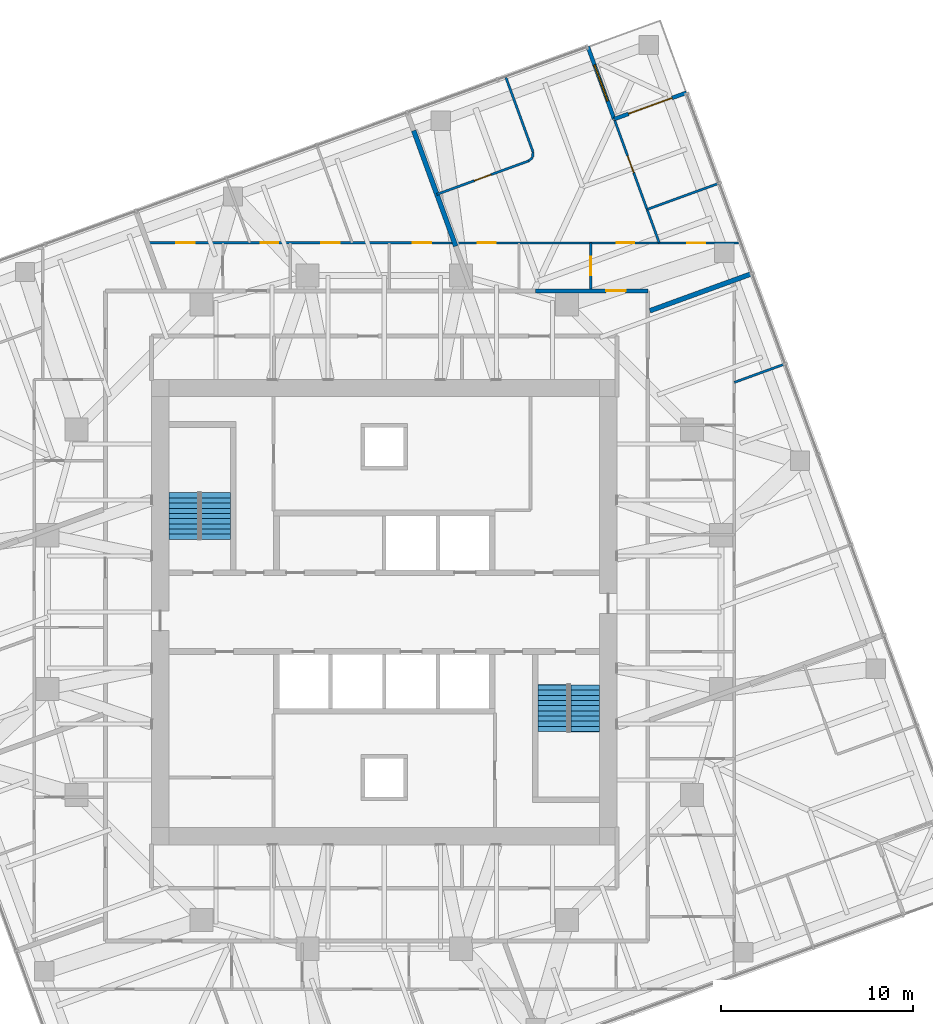
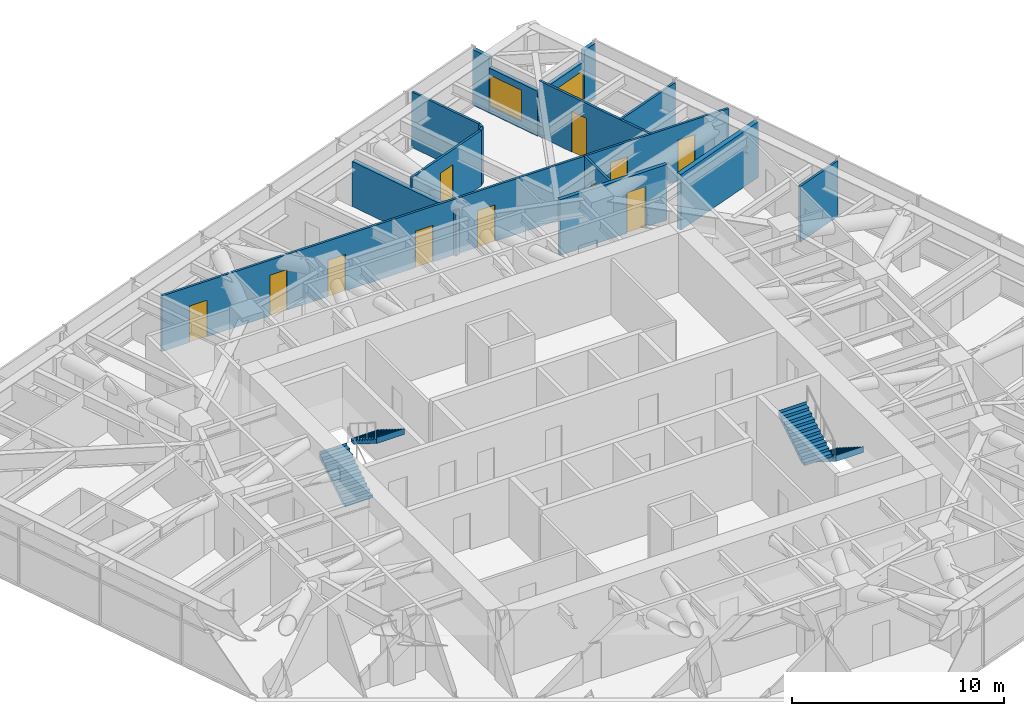
# One storey, part 14 of 16: 16 walls, 12 doors, 4 stair flights, 1 window, 13 openings, 2 elements without a shape of their own.
"""IFC4 building model written with IfcOpenShell, lengths in metres."""

import ifcopenshell
import ifcopenshell.guid

model = None  # the IFC model being written
_history = None  # IfcOwnerHistory: only IFC2X3 demands one
_inside = {}  # id of a spatial element -> (the spatial element, [elements in it])
_under = {}  # id of a project, library or spatial element -> (it, [spatial elements below it])
_declared = {}  # id of a project -> (the project, [libraries it declares])
_typed = {}  # id of a type object -> (the type object, [elements of that type])
_made_of = {}  # id of a material, layer set ... -> (it, [elements and type objects made of it])


def new_model(schema):
    """Start an empty IFC model of exactly this schema.

    Asked for "IFC4X3", IfcOpenShell would pick the latest addendum, in which some entities
    have other attributes; the version numbers below select the first issue.
    IFC2X3 requires an IfcOwnerHistory on every rooted entity: one is made here for all.
    """
    global model, _history
    if schema == "IFC4X3":
        model = ifcopenshell.file(schema_version=(4, 3, 0, 0))
    else:
        model = ifcopenshell.file(schema=schema)
    _inside.clear()
    _under.clear()
    _declared.clear()
    _typed.clear()
    _made_of.clear()
    _history = None
    if model.schema == "IFC2X3":
        org = make("IfcOrganization", Name="unknown")
        user = make(
            "IfcPersonAndOrganization",
            ThePerson=make("IfcPerson", FamilyName="unknown"),
            TheOrganization=org,
        )
        app = make(
            "IfcApplication",
            ApplicationDeveloper=org,
            Version="unknown",
            ApplicationFullName="unknown",
            ApplicationIdentifier="unknown",
        )
        _history = make(
            "IfcOwnerHistory",
            OwningUser=user,
            OwningApplication=app,
            ChangeAction="ADDED",
            CreationDate=0,
        )
    return model


def make(cls, **values):
    """One entity of the class cls with the attributes given. An attribute that is None is left unset."""
    return model.create_entity(
        cls, **{name: value for name, value in values.items() if value is not None}
    )


def rooted(cls, **values):
    """An entity with a GlobalId (a new one), such as an element, a storey or a relation."""
    return make(cls, GlobalId=ifcopenshell.guid.new(), OwnerHistory=_history, **values)


def si_unit(unit_type, name, prefix=None):
    """IfcSIUnit, for example si_unit("LENGTHUNIT", "METRE", prefix="MILLI")."""
    return make("IfcSIUnit", UnitType=unit_type, Prefix=prefix, Name=name)


def assignment(units):
    """IfcUnitAssignment: the units of a project."""
    return None if units is None else make("IfcUnitAssignment", Units=units)


def point(xyz):
    """IfcCartesianPoint."""
    return None if xyz is None else make("IfcCartesianPoint", Coordinates=xyz)


def direction(xyz):
    """IfcDirection."""
    return None if xyz is None else make("IfcDirection", DirectionRatios=xyz)


def frame(location, z_axis=None, x_axis=None):
    """IfcAxis2Placement3D, a coordinate frame: its origin and axes. An axis left out is left unset."""
    return make(
        "IfcAxis2Placement3D",
        Location=point(location),
        Axis=direction(z_axis),
        RefDirection=direction(x_axis),
    )


def frame_2d(location, x_axis=None):
    """IfcAxis2Placement2D, a coordinate frame in the plane: its origin and x axis."""
    return make(
        "IfcAxis2Placement2D", Location=point(location), RefDirection=direction(x_axis)
    )


def origin():
    """The frame at (0, 0, 0) with its axes left unset."""
    return frame((0.0, 0.0, 0.0))


def place(relative_to, where):
    """IfcLocalPlacement: puts the frame where relative to a parent placement (None: the world)."""
    return make(
        "IfcLocalPlacement", PlacementRelTo=relative_to, RelativePlacement=where
    )


def context(
    kind, dimensions, precision=None, world=None, true_north=None, identifier=None
):
    """IfcGeometricRepresentationContext, for example the 3D "Model" context."""
    return make(
        "IfcGeometricRepresentationContext",
        ContextIdentifier=identifier,
        ContextType=kind,
        CoordinateSpaceDimension=dimensions,
        Precision=precision,
        WorldCoordinateSystem=world,
        TrueNorth=true_north,
    )


def subcontext(parent, identifier, kind, view, scale=None):
    """IfcGeometricRepresentationSubContext, for example "Body" below "Model"."""
    return make(
        "IfcGeometricRepresentationSubContext",
        ContextIdentifier=identifier,
        ContextType=kind,
        ParentContext=parent,
        TargetScale=scale,
        TargetView=view,
    )


def project(units=None, contexts=None):
    """IfcProject with its units and contexts."""
    return rooted(
        "IfcProject",
        Name="project",
        RepresentationContexts=contexts,
        UnitsInContext=assignment(units),
    )


def spatial(cls, under=None, at=None, **own):
    """A site, building, storey or space (cls), placed at a placement, below another one or the project."""
    s = rooted(cls, ObjectPlacement=at, **own)
    if under is not None:
        _under.setdefault(under.id(), (under, []))[1].append(s)
    return s


def polyline(points):
    """IfcPolyline through the points."""
    return make("IfcPolyline", Points=[point(p) for p in points])


def profile(cls, at=None, kind="AREA", **sizes):
    """A parametric profile (cls). Its sizes go by their IFC names, for example OverallWidth=200.0."""
    return make(cls, ProfileType=kind, Position=at, **sizes)


def rectangle(**sizes):
    """IfcRectangleProfileDef."""
    return profile("IfcRectangleProfileDef", **sizes)


def outline(outer, holes=None, kind="AREA"):
    """IfcArbitraryClosedProfileDef: a profile drawn as a closed curve; with holes, ...WithVoids."""
    if holes is None:
        return make("IfcArbitraryClosedProfileDef", ProfileType=kind, OuterCurve=outer)
    return make(
        "IfcArbitraryProfileDefWithVoids",
        ProfileType=kind,
        OuterCurve=outer,
        InnerCurves=holes,
    )


def extrude(swept, where, along, depth):
    """IfcExtrudedAreaSolid: the profile swept, set in the frame where, extruded along a direction by depth."""
    return make(
        "IfcExtrudedAreaSolid",
        SweptArea=swept,
        Position=where,
        ExtrudedDirection=direction(along),
        Depth=depth,
    )


def shape(context_of_items, identifier, shape_type, items):
    """IfcShapeRepresentation: the items that make up one representation, for example the "Body"."""
    return make(
        "IfcShapeRepresentation",
        ContextOfItems=context_of_items,
        RepresentationIdentifier=identifier,
        RepresentationType=shape_type,
        Items=items,
    )


def material(Name=None, Category=None):
    """IfcMaterial."""
    return make("IfcMaterial", Name=Name, Category=Category)


def layer(
    of_material, thickness, ventilated=None, Name=None, Category=None, Priority=None
):
    """IfcMaterialLayer: one layer of a wall or slab, of a material (None: an air gap)."""
    return make(
        "IfcMaterialLayer",
        Material=of_material,
        LayerThickness=thickness,
        IsVentilated=ventilated,
        Name=Name,
        Category=Category,
        Priority=Priority,
    )


def layer_set(layers, Name=None):
    """IfcMaterialLayerSet."""
    return make("IfcMaterialLayerSet", MaterialLayers=layers, LayerSetName=Name)


def made_of(thing, what):
    """Note that an element or type object is made of a material, layer set ...; save() writes the relation."""
    if what is not None:
        _made_of.setdefault(what.id(), (what, []))[1].append(thing)
    return thing


def type_object(cls, material=None, **own):
    """A type object (cls), such as IfcWallType, which elements share."""
    return made_of(rooted(cls, **own), material)


def element(
    cls,
    number,
    at=None,
    inside=None,
    cuts=None,
    type_object=None,
    material=None,
    context=None,
    identifier="Body",
    shape_type=None,
    held_by="IfcProductDefinitionShape",
    body=None,
    shapes=None,
    **own,
):
    """One element of the class cls, such as IfcWall. Its Tag is "e" and its number.

    at: its placement. inside: the storey or other place that contains it. cuts: it is an
    opening in that element (IfcRelVoidsElement). A single representation is given by context,
    identifier, shape_type and body (its items); several are given by shapes. held_by: the class
    of the entity that holds the representations. save() writes the other relations.
    """
    e = rooted(cls, Tag="e%d" % number, ObjectPlacement=at, **own)
    if body is not None:
        shapes = [shape(context, identifier, shape_type, body)]
    if shapes is not None:
        e.Representation = make(held_by, Representations=shapes)
    if inside is not None:
        _inside.setdefault(inside.id(), (inside, []))[1].append(e)
    if cuts is not None:
        rooted(
            "IfcRelVoidsElement", RelatingBuildingElement=cuts, RelatedOpeningElement=e
        )
    if type_object is not None:
        _typed.setdefault(type_object.id(), (type_object, []))[1].append(e)
    return made_of(e, material)


def fill(opening, filler):
    """IfcRelFillsElement: the door or window that sits in an opening."""
    return rooted(
        "IfcRelFillsElement",
        RelatingOpeningElement=opening,
        RelatedBuildingElement=filler,
    )


def aggregate(whole, parts):
    """IfcRelAggregates: a whole, such as a stair, and the parts it consists of."""
    return rooted("IfcRelAggregates", RelatingObject=whole, RelatedObjects=parts)


def save(model, path):
    """Write the relations noted so far, then the file.

    IfcRelAggregates (storeys below a building ...), IfcRelContainedInSpatialStructure (elements
    in a storey), IfcRelDefinesByType, IfcRelAssociatesMaterial and IfcRelDeclares: one each for
    every whole, place, type object, material and project.
    """
    for whole, parts in _under.values():
        aggregate(whole, parts)
    for where, things in _inside.values():
        rooted(
            "IfcRelContainedInSpatialStructure",
            RelatedElements=things,
            RelatingStructure=where,
        )
    for kind, things in _typed.values():
        rooted("IfcRelDefinesByType", RelatedObjects=things, RelatingType=kind)
    for what, things in _made_of.values():
        rooted("IfcRelAssociatesMaterial", RelatedObjects=things, RelatingMaterial=what)
    for by, libraries in _declared.values():
        rooted("IfcRelDeclares", RelatingContext=by, RelatedDefinitions=libraries)
    model.write(path)


model = new_model("IFC4")

# Units and contexts
model_context = context("Model", 3, precision=1e-05, world=origin(), true_north=direction((0.0, 1.0)))
body_context = subcontext(model_context, "Body", "Model", "MODEL_VIEW")
ifc_project = project(units=[si_unit("LENGTHUNIT", "METRE"), si_unit("AREAUNIT", "SQUARE_METRE"), si_unit("VOLUMEUNIT", "CUBIC_METRE"), si_unit("PLANEANGLEUNIT", "RADIAN"), si_unit("MASSUNIT", "GRAM", prefix="KILO")], contexts=[model_context])

# Site, building, storey
site_placement = place(None, origin())
site = spatial("IfcSite", under=ifc_project, at=site_placement, CompositionType="ELEMENT")
building_placement = place(site_placement, origin())
building = spatial("IfcBuilding", under=site, at=building_placement, Name="Torsade Residences", CompositionType="ELEMENT")
storey_placement = place(building_placement, frame((0.0, 0.0, 167.60009765625)))
storey = spatial("IfcBuildingStorey", under=building, at=storey_placement, Name="L46", CompositionType="ELEMENT", Elevation=167.60009765625)

# Wall, opening, door
ifc_material_1 = material(Name="Plasterboard on steel stud", Category="steel")
ifc_layer_1 = layer(ifc_material_1, 0.199951171875)
ifc_layer_set_1 = layer_set([ifc_layer_1], Name="Plasterboard on steel stud")
wall_type_1 = type_object("IfcWallType", Name="CORRIDOR WALL 200", PredefinedType="PARTITIONING", material=ifc_layer_set_1)
wall_1_placement = place(storey_placement, frame((53.699951171875, 46.699951171875, 0.0), z_axis=(0.0, 0.0, 1.0), x_axis=(-1.0, 0.0, 0.0)))
wall_1 = element("IfcWall", 1, at=wall_1_placement, inside=storey, type_object=wall_type_1, Name="Corridor wall L46", PredefinedType="PARTITIONING", context=body_context, shape_type="SweptSolid", body=[
    extrude(rectangle(XDim=5.829833984375, YDim=0.199951171875, at=frame_2d((2.9150390625, 0.0))), origin(), (0.0, 0.0, 1.0), 3.199951171875),
])
opening_1_placement = place(wall_1_placement, frame((1.150634765625, 0.0, 0.0)))
opening_1 = element("IfcOpeningElement", 2, at=opening_1_placement, cuts=wall_1, Name="Opening D01", PredefinedType="OPENING", context=body_context, shape_type="SweptSolid", body=[
    extrude(rectangle(XDim=1.02001953125, YDim=2.340087890625, at=frame_2d((0.510009765625, 1.169921875))), frame((0.0, 0.10986328125, 0.0), z_axis=(0.0, -1.0, 0.0), x_axis=(1.0, 0.0, 0.0)), (0.0, 0.0, 1.0), 0.219970703125),
])
ifc_material_2 = material(Name="Solid-core timber fire door", Category="wood")
door_type_1 = type_object("IfcDoorType", Name="APARTMENT ENTRY DOOR 1020x2340", OperationType="NOTDEFINED", PredefinedType="DOOR", material=ifc_material_2)
door_1_placement = place(opening_1_placement, origin())
door_1 = element("IfcDoor", 3, at=door_1_placement, inside=storey, type_object=door_type_1, Name="Door Residential corridor to Kitchen and dining", OperationType="SINGLE_SWING_LEFT", OverallHeight=2.340087890625, OverallWidth=1.02001953125, PredefinedType="DOOR", context=body_context, shape_type="SweptSolid", body=[
    extrude(rectangle(XDim=1.02001953125, YDim=2.340087890625, at=frame_2d((0.510009765625, 1.169921875))), frame((0.0, 0.02490234375, 0.0), z_axis=(0.0, -1.0, 0.0), x_axis=(1.0, 0.0, 0.0)), (0.0, 0.0, 1.0), 0.050048828125),
])
fill(opening_1, door_1)

# Wall
ifc_material_3 = material(Name="Plasterboard on steel stud", Category="steel")
ifc_layer_2 = layer(ifc_material_3, 0.1201171875)
ifc_layer_set_2 = layer_set([ifc_layer_2], Name="Plasterboard on steel stud")
wall_type_2 = type_object("IfcWallType", Name="PARTITION 120", PredefinedType="PARTITIONING", material=ifc_layer_set_2)
wall_2_placement = place(storey_placement, frame((58.199951171875, 41.945068359375, 0.0), z_axis=(0.0, 0.0, 1.0), x_axis=(0.939680234176, 0.34205417334, 0.0)))
element("IfcWall", 4, at=wall_2_placement, inside=storey, type_object=wall_type_2, Name="Partition L46", PredefinedType="PARTITIONING", context=body_context, shape_type="SweptSolid", body=[
    extrude(rectangle(XDim=2.772216796875, YDim=0.1201171875, at=frame_2d((1.38623046875, 0.0))), origin(), (0.0, 0.0, 1.0), 3.199951171875),
])

# Wall, opening, door
wall_3_placement = place(storey_placement, frame((50.728759765625, 46.800048828125, 0.0), z_axis=(0.0, 0.0, 1.0), x_axis=(0.0, 1.0, 0.0)))
wall_3 = element("IfcWall", 5, at=wall_3_placement, inside=storey, type_object=wall_type_2, Name="Partition L46", PredefinedType="PARTITIONING", context=body_context, shape_type="SweptSolid", body=[
    extrude(rectangle(XDim=2.39990234375, YDim=0.1201171875, at=frame_2d((1.199951171875, 0.0))), origin(), (0.0, 0.0, 1.0), 3.199951171875),
])
opening_2_placement = place(wall_3_placement, frame((0.719970703125, 0.0, 0.0)))
opening_2 = element("IfcOpeningElement", 6, at=opening_2_placement, cuts=wall_3, Name="Opening D05", PredefinedType="OPENING", context=body_context, shape_type="SweptSolid", body=[
    extrude(rectangle(XDim=0.9599609375, YDim=2.10009765625, at=frame_2d((0.47998046875, 1.050048828125))), frame((0.0, 0.070068359375, 0.0), z_axis=(0.0, -1.0, 0.0), x_axis=(1.0, 0.0, 0.0)), (0.0, 0.0, 1.0), 0.14013671875),
])
ifc_material_4 = material(Name="Hollow-core timber door in a steel cavity frame", Category="steel")
door_type_2 = type_object("IfcDoorType", Name="BATHROOM CAVITY SLIDING DOOR 960", OperationType="SLIDING_TO_LEFT", PredefinedType="DOOR", material=ifc_material_4)
door_2_placement = place(opening_2_placement, origin())
door_2 = element("IfcDoor", 7, at=door_2_placement, inside=storey, type_object=door_type_2, Name="Door Kitchen and dining to Bathroom", OperationType="SLIDING_TO_LEFT", OverallHeight=2.10009765625, OverallWidth=0.9599609375, PredefinedType="DOOR", context=body_context, shape_type="SweptSolid", body=[
    extrude(rectangle(XDim=0.9599609375, YDim=2.10009765625, at=frame_2d((0.47998046875, 1.050048828125))), frame((0.0, 0.02490234375, 0.0), z_axis=(0.0, -1.0, 0.0), x_axis=(1.0, 0.0, 0.0)), (0.0, 0.0, 1.0), 0.050048828125),
])
fill(opening_2, door_2)

# Wall, openings, doors
wall_4_placement = place(storey_placement, frame((27.69091796875, 49.199951171875, 0.0), z_axis=(0.0, 0.0, 1.0), x_axis=(0.999999952285, -0.000308918217, 0.0)))
wall_4 = element("IfcWall", 8, at=wall_4_placement, inside=storey, type_object=wall_type_2, Name="Partition L46", PredefinedType="PARTITIONING", context=body_context, shape_type="SweptSolid", body=[
    extrude(rectangle(XDim=30.822021484375, YDim=0.1201171875, at=frame_2d((15.4111328125, 0.0))), origin(), (0.0, 0.0, 1.0), 3.199951171875),
])
opening_3_placement = place(wall_4_placement, frame((5.88232421875, 0.0, 0.0)))
opening_3 = element("IfcOpeningElement", 9, at=opening_3_placement, cuts=wall_4, Name="Opening D02", PredefinedType="OPENING", context=body_context, shape_type="SweptSolid", body=[
    extrude(rectangle(XDim=0.919921875, YDim=2.340087890625, at=frame_2d((0.4599609375, 1.169921875))), frame((0.0, 0.070068359375, 0.0), z_axis=(0.0, -1.0, 0.0), x_axis=(1.0, 0.0, 0.0)), (0.0, 0.0, 1.0), 0.14013671875),
])
opening_4_placement = place(wall_4_placement, frame((28.070068359375, 0.0, 0.0)))
opening_4 = element("IfcOpeningElement", 10, at=opening_4_placement, cuts=wall_4, Name="Opening D02", PredefinedType="OPENING", context=body_context, shape_type="SweptSolid", body=[
    extrude(rectangle(XDim=0.919921875, YDim=2.340087890625, at=frame_2d((0.4599609375, 1.169921875))), frame((0.0, 0.070068359375, 0.0), z_axis=(0.0, -1.0, 0.0), x_axis=(1.0, 0.0, 0.0)), (0.0, 0.0, 1.0), 0.14013671875),
])
opening_5_placement = place(wall_4_placement, frame((24.3876953125, 0.0, 0.0)))
opening_5 = element("IfcOpeningElement", 11, at=opening_5_placement, cuts=wall_4, Name="Opening D02", PredefinedType="OPENING", context=body_context, shape_type="SweptSolid", body=[
    extrude(rectangle(XDim=0.919921875, YDim=2.340087890625, at=frame_2d((0.4599609375, 1.169921875))), frame((0.0, 0.070068359375, 0.0), z_axis=(0.0, -1.0, 0.0), x_axis=(1.0, 0.0, 0.0)), (0.0, 0.0, 1.0), 0.14013671875),
])
opening_6_placement = place(wall_4_placement, frame((1.506103515625, 0.0, 0.0)))
opening_6 = element("IfcOpeningElement", 12, at=opening_6_placement, cuts=wall_4, Name="Opening D05", PredefinedType="OPENING", context=body_context, shape_type="SweptSolid", body=[
    extrude(rectangle(XDim=0.9599609375, YDim=2.10009765625, at=frame_2d((0.47998046875, 1.050048828125))), frame((0.0, 0.070068359375, 0.0), z_axis=(0.0, -1.0, 0.0), x_axis=(1.0, 0.0, 0.0)), (0.0, 0.0, 1.0), 0.14013671875),
])
opening_7_placement = place(wall_4_placement, frame((17.158203125, 0.0, 0.0)))
opening_7 = element("IfcOpeningElement", 13, at=opening_7_placement, cuts=wall_4, Name="Opening D05", PredefinedType="OPENING", context=body_context, shape_type="SweptSolid", body=[
    extrude(rectangle(XDim=0.9599609375, YDim=2.10009765625, at=frame_2d((0.47998046875, 1.050048828125))), frame((0.0, 0.070068359375, 0.0), z_axis=(0.0, -1.0, 0.0), x_axis=(1.0, 0.0, 0.0)), (0.0, 0.0, 1.0), 0.14013671875),
])
opening_8_placement = place(wall_4_placement, frame((9.026123046875, 0.0, 0.0)))
opening_8 = element("IfcOpeningElement", 14, at=opening_8_placement, cuts=wall_4, Name="Opening D05", PredefinedType="OPENING", context=body_context, shape_type="SweptSolid", body=[
    extrude(rectangle(XDim=0.9599609375, YDim=2.10009765625, at=frame_2d((0.47998046875, 1.050048828125))), frame((0.0, 0.070068359375, 0.0), z_axis=(0.0, -1.0, 0.0), x_axis=(1.0, 0.0, 0.0)), (0.0, 0.0, 1.0), 0.14013671875),
])
opening_9_placement = place(wall_4_placement, frame((13.78759765625, 0.0, 0.0)))
opening_9 = element("IfcOpeningElement", 15, at=opening_9_placement, cuts=wall_4, Name="Opening D05", PredefinedType="OPENING", context=body_context, shape_type="SweptSolid", body=[
    extrude(rectangle(XDim=0.9599609375, YDim=2.10009765625, at=frame_2d((0.47998046875, 1.050048828125))), frame((0.0, 0.070068359375, 0.0), z_axis=(0.0, -1.0, 0.0), x_axis=(1.0, 0.0, 0.0)), (0.0, 0.0, 1.0), 0.14013671875),
])
door_3_placement = place(opening_6_placement, origin())
door_3 = element("IfcDoor", 16, at=door_3_placement, inside=storey, type_object=door_type_2, Name="Door WC to Bedroom 2", OperationType="SLIDING_TO_LEFT", OverallHeight=2.10009765625, OverallWidth=0.9599609375, PredefinedType="DOOR", context=body_context, shape_type="SweptSolid", body=[
    extrude(rectangle(XDim=0.9599609375, YDim=2.10009765625, at=frame_2d((0.47998046875, 1.050048828125))), frame((0.0, 0.02490234375, 0.0), z_axis=(0.0, -1.0, 0.0), x_axis=(1.0, 0.0, 0.0)), (0.0, 0.0, 1.0), 0.050048828125),
])
fill(opening_6, door_3)
door_4_placement = place(opening_7_placement, origin())
door_4 = element("IfcDoor", 17, at=door_4_placement, inside=storey, type_object=door_type_2, Name="Door Living room to Ensuite", OperationType="SLIDING_TO_LEFT", OverallHeight=2.10009765625, OverallWidth=0.9599609375, PredefinedType="DOOR", context=body_context, shape_type="SweptSolid", body=[
    extrude(rectangle(XDim=0.9599609375, YDim=2.10009765625, at=frame_2d((0.47998046875, 1.050048828125))), frame((0.0, 0.02490234375, 0.0), z_axis=(0.0, -1.0, 0.0), x_axis=(1.0, 0.0, 0.0)), (0.0, 0.0, 1.0), 0.050048828125),
])
fill(opening_7, door_4)
door_5_placement = place(opening_8_placement, origin())
door_5 = element("IfcDoor", 18, at=door_5_placement, inside=storey, type_object=door_type_2, Name="Door Bedroom 1 to Bathroom", OperationType="SLIDING_TO_LEFT", OverallHeight=2.10009765625, OverallWidth=0.9599609375, PredefinedType="DOOR", context=body_context, shape_type="SweptSolid", body=[
    extrude(rectangle(XDim=0.9599609375, YDim=2.10009765625, at=frame_2d((0.47998046875, 1.050048828125))), frame((0.0, 0.02490234375, 0.0), z_axis=(0.0, -1.0, 0.0), x_axis=(1.0, 0.0, 0.0)), (0.0, 0.0, 1.0), 0.050048828125),
])
fill(opening_8, door_5)
door_6_placement = place(opening_9_placement, origin())
door_6 = element("IfcDoor", 19, at=door_6_placement, inside=storey, type_object=door_type_2, Name="Door Living room to Ensuite", OperationType="SLIDING_TO_LEFT", OverallHeight=2.10009765625, OverallWidth=0.9599609375, PredefinedType="DOOR", context=body_context, shape_type="SweptSolid", body=[
    extrude(rectangle(XDim=0.9599609375, YDim=2.10009765625, at=frame_2d((0.47998046875, 1.050048828125))), frame((0.0, 0.02490234375, 0.0), z_axis=(0.0, -1.0, 0.0), x_axis=(1.0, 0.0, 0.0)), (0.0, 0.0, 1.0), 0.050048828125),
])
fill(opening_9, door_6)
ifc_material_5 = material(Name="Hollow-core timber door", Category="wood")
door_type_3 = type_object("IfcDoorType", Name="INTERNAL DOOR 920x2340", OperationType="NOTDEFINED", PredefinedType="DOOR", material=ifc_material_5)
door_7_placement = place(opening_3_placement, origin())
door_7 = element("IfcDoor", 20, at=door_7_placement, inside=storey, type_object=door_type_3, Name="Door Kitchen and dining to Bedroom 1", OperationType="SINGLE_SWING_LEFT", OverallHeight=2.340087890625, OverallWidth=0.919921875, PredefinedType="DOOR", context=body_context, shape_type="SweptSolid", body=[
    extrude(rectangle(XDim=0.919921875, YDim=2.340087890625, at=frame_2d((0.4599609375, 1.169921875))), frame((0.0, 0.02490234375, 0.0), z_axis=(0.0, -1.0, 0.0), x_axis=(1.0, 0.0, 0.0)), (0.0, 0.0, 1.0), 0.050048828125),
])
fill(opening_3, door_7)
door_8_placement = place(opening_4_placement, origin())
door_8 = element("IfcDoor", 21, at=door_8_placement, inside=storey, type_object=door_type_3, Name="Door Kitchen and dining to Bedroom 3", OperationType="SINGLE_SWING_LEFT", OverallHeight=2.340087890625, OverallWidth=0.919921875, PredefinedType="DOOR", context=body_context, shape_type="SweptSolid", body=[
    extrude(rectangle(XDim=0.919921875, YDim=2.340087890625, at=frame_2d((0.4599609375, 1.169921875))), frame((0.0, 0.02490234375, 0.0), z_axis=(0.0, -1.0, 0.0), x_axis=(1.0, 0.0, 0.0)), (0.0, 0.0, 1.0), 0.050048828125),
])
fill(opening_4, door_8)
door_9_placement = place(opening_5_placement, origin())
door_9 = element("IfcDoor", 22, at=door_9_placement, inside=storey, type_object=door_type_3, Name="Door Kitchen and dining to Living room", OperationType="SINGLE_SWING_RIGHT", OverallHeight=2.340087890625, OverallWidth=0.919921875, PredefinedType="DOOR", context=body_context, shape_type="SweptSolid", body=[
    extrude(rectangle(XDim=0.919921875, YDim=2.340087890625, at=frame_2d((0.4599609375, 1.169921875))), frame((0.0, 0.02490234375, 0.0), z_axis=(0.0, -1.0, 0.0), x_axis=(1.0, 0.0, 0.0)), (0.0, 0.0, 1.0), 0.050048828125),
])
fill(opening_5, door_9)

# Wall, opening, door
wall_5_placement = place(storey_placement, frame((42.736328125, 51.72021484375, 0.0), z_axis=(0.0, 0.0, 1.0), x_axis=(0.939707596988, 0.341978993747, 0.0)))
wall_5 = element("IfcWall", 23, at=wall_5_placement, inside=storey, type_object=wall_type_2, Name="Partition L46", PredefinedType="PARTITIONING", context=body_context, shape_type="SweptSolid", body=[
    extrude(rectangle(XDim=5.068115234375, YDim=0.1201171875, at=frame_2d((2.5341796875, 0.0))), origin(), (0.0, 0.0, 1.0), 3.199951171875),
])
opening_10_placement = place(wall_5_placement, frame((2.073974609375, 0.0, 0.0)))
opening_10 = element("IfcOpeningElement", 24, at=opening_10_placement, cuts=wall_5, Name="Opening D02", PredefinedType="OPENING", context=body_context, shape_type="SweptSolid", body=[
    extrude(rectangle(XDim=0.919921875, YDim=2.340087890625, at=frame_2d((0.4599609375, 1.169921875))), frame((0.0, 0.070068359375, 0.0), z_axis=(0.0, -1.0, 0.0), x_axis=(1.0, 0.0, 0.0)), (0.0, 0.0, 1.0), 0.14013671875),
])
door_10_placement = place(opening_10_placement, origin())
door_10 = element("IfcDoor", 25, at=door_10_placement, inside=storey, type_object=door_type_3, Name="Door Living room to Bedroom 1", OperationType="SINGLE_SWING_LEFT", OverallHeight=2.340087890625, OverallWidth=0.919921875, PredefinedType="DOOR", context=body_context, shape_type="SweptSolid", body=[
    extrude(rectangle(XDim=0.919921875, YDim=2.340087890625, at=frame_2d((0.4599609375, 1.169921875))), frame((0.0, 0.02490234375, 0.0), z_axis=(0.0, -1.0, 0.0), x_axis=(1.0, 0.0, 0.0)), (0.0, 0.0, 1.0), 0.050048828125),
])
fill(opening_10, door_10)

# Walls
wall_6_placement = place(storey_placement, frame((47.498779296875, 53.453369140625, 0.0), z_axis=(0.0, 0.0, 1.0), x_axis=(0.769326440299, 0.638855874401, 0.0)))
element("IfcWall", 26, at=wall_6_placement, inside=storey, type_object=wall_type_2, Name="Partition L46", PredefinedType="PARTITIONING", context=body_context, shape_type="SweptSolid", body=[
    extrude(rectangle(XDim=0.271240234375, YDim=0.1201171875, at=frame_2d((0.1357421875, 0.0))), origin(), (0.0, 0.0, 1.0), 3.199951171875),
])
wall_7_placement = place(storey_placement, frame((47.70751953125, 53.626708984375, 0.0), z_axis=(0.0, 0.0, 1.0), x_axis=(0.092395121176, 0.995722421955, 0.0)))
element("IfcWall", 27, at=wall_7_placement, inside=storey, type_object=wall_type_2, Name="Partition L46", PredefinedType="PARTITIONING", context=body_context, shape_type="SweptSolid", body=[
    extrude(rectangle(XDim=0.2958984375, YDim=0.1201171875, at=frame_2d((0.14794921875, 0.0))), origin(), (0.0, 0.0, 1.0), 3.199951171875),
])
wall_8_placement = place(storey_placement, frame((47.73486328125, 53.92138671875, 0.0), z_axis=(0.0, 0.0, 1.0), x_axis=(-0.342004304159, 0.93969838562, 0.0)))
element("IfcWall", 28, at=wall_8_placement, inside=storey, type_object=wall_type_2, Name="Partition L46", PredefinedType="PARTITIONING", context=body_context, shape_type="SweptSolid", body=[
    extrude(rectangle(XDim=4.126708984375, YDim=0.1201171875, at=frame_2d((2.0634765625, 0.0))), origin(), (0.0, 0.0, 1.0), 3.199951171875),
])

# Wall, opening, door
wall_9_placement = place(storey_placement, frame((51.967041015625, 55.5966796875, 0.0), z_axis=(0.0, 0.0, 1.0), x_axis=(0.342039648023, -0.939685521427, 0.0)))
wall_9 = element("IfcWall", 29, at=wall_9_placement, inside=storey, type_object=wall_type_2, Name="Partition L46", PredefinedType="PARTITIONING", context=body_context, shape_type="SweptSolid", body=[
    extrude(rectangle(XDim=6.807373046875, YDim=0.1201171875, at=frame_2d((3.40380859375, 0.0))), origin(), (0.0, 0.0, 1.0), 3.199951171875),
])
opening_11_placement = place(wall_9_placement, frame((2.0, 0.0, 0.0)))
opening_11 = element("IfcOpeningElement", 30, at=opening_11_placement, cuts=wall_9, Name="Opening D02", PredefinedType="OPENING", context=body_context, shape_type="SweptSolid", body=[
    extrude(rectangle(XDim=0.919921875, YDim=2.340087890625, at=frame_2d((0.4599609375, 1.169921875))), frame((0.0, 0.070068359375, 0.0), z_axis=(0.0, -1.0, 0.0), x_axis=(1.0, 0.0, 0.0)), (0.0, 0.0, 1.0), 0.14013671875),
])
door_11_placement = place(opening_11_placement, origin())
door_11 = element("IfcDoor", 31, at=door_11_placement, inside=storey, type_object=door_type_3, Name="Door Living room to Bedroom 2", OperationType="SINGLE_SWING_RIGHT", OverallHeight=2.340087890625, OverallWidth=0.919921875, PredefinedType="DOOR", context=body_context, shape_type="SweptSolid", body=[
    extrude(rectangle(XDim=0.919921875, YDim=2.340087890625, at=frame_2d((0.4599609375, 1.169921875))), frame((0.0, 0.02490234375, 0.0), z_axis=(0.0, -1.0, 0.0), x_axis=(1.0, 0.0, 0.0)), (0.0, 0.0, 1.0), 0.050048828125),
])
fill(opening_11, door_11)

# Walls
wall_10_placement = place(storey_placement, frame((57.384765625, 52.290283203125, 0.0), z_axis=(0.0, 0.0, 1.0), x_axis=(-0.939685374709, -0.342040051101, 0.0)))
element("IfcWall", 32, at=wall_10_placement, inside=storey, type_object=wall_type_2, Name="Partition L46", PredefinedType="PARTITIONING", context=body_context, shape_type="SweptSolid", body=[
    extrude(rectangle(XDim=3.9599609375, YDim=0.1201171875, at=frame_2d((1.97998046875, 0.0))), origin(), (0.0, 0.0, 1.0), 3.199951171875),
])
ifc_material_6 = material(Name="Masonry-lined stud party wall", Category="masonry")
ifc_layer_3 = layer(ifc_material_6, 0.25)
ifc_layer_set_3 = layer_set([ifc_layer_3], Name="Masonry-lined stud party wall")
wall_type_3 = type_object("IfcWallType", Name="PARTY WALL 250", PredefinedType="PARTITIONING", material=ifc_layer_set_3)
wall_11_placement = place(storey_placement, frame((59.13232421875, 47.60546875, 0.0), z_axis=(0.0, 0.0, 1.0), x_axis=(-0.939690274876, -0.342026588591, 0.0)))
element("IfcWall", 33, at=wall_11_placement, inside=storey, type_object=wall_type_3, Name="Party wall L46", PredefinedType="PARTITIONING", context=body_context, shape_type="SweptSolid", body=[
    extrude(rectangle(XDim=5.6689453125, YDim=0.25, at=frame_2d((2.83447265625, 0.0))), origin(), (0.0, 0.0, 1.0), 3.199951171875),
])
wall_12_placement = place(storey_placement, frame((41.530517578125, 55.033203125, 0.0), z_axis=(0.0, 0.0, 1.0), x_axis=(0.341991425514, -0.939703072718, 0.0)))
element("IfcWall", 34, at=wall_12_placement, inside=storey, type_object=wall_type_3, Name="Party wall L46", PredefinedType="PARTITIONING", context=body_context, shape_type="SweptSolid", body=[
    extrude(rectangle(XDim=6.392822265625, YDim=0.25, at=frame_2d((3.1962890625, 0.0))), origin(), (0.0, 0.0, 1.0), 2.587890625),
])
ifc_material_7 = material(Name="Stone-faced precast concrete 40 MPa panel", Category="masonry")
ifc_layer_4 = layer(ifc_material_7, 0.199951171875)
ifc_layer_set_4 = layer_set([ifc_layer_4], Name="Stone-faced precast concrete 40 MPa panel")
wall_type_4 = type_object("IfcWallType", Name="TERRACE WALL 200", PredefinedType="SOLIDWALL", material=ifc_layer_set_4)
wall_13_placement = place(storey_placement, frame((55.712158203125, 57.00244140625, 0.0), z_axis=(0.0, 0.0, 1.0), x_axis=(-0.939659694648, -0.342110593602, 0.0)))
element("IfcWall", 35, at=wall_13_placement, inside=storey, type_object=wall_type_4, Name="Terrace wall L46 5", PredefinedType="SOLIDWALL", context=body_context, shape_type="SweptSolid", body=[
    extrude(rectangle(XDim=0.800048828125, YDim=0.199951171875, at=frame_2d((0.39990234375, 0.0))), origin(), (0.0, 0.0, 1.0), 3.199951171875),
])

# Wall, opening, door
wall_14_placement = place(storey_placement, frame((54.96044921875, 56.728759765625, 0.0), z_axis=(0.0, 0.0, 1.0), x_axis=(-0.939693144909, -0.342018703306, 0.0)))
wall_14 = element("IfcWall", 36, at=wall_14_placement, inside=storey, type_object=wall_type_4, Name="Terrace wall L46 5", PredefinedType="SOLIDWALL", context=body_context, shape_type="SweptSolid", body=[
    extrude(rectangle(XDim=3.199951171875, YDim=0.199951171875, at=frame_2d((1.60009765625, 0.0))), origin(), (0.0, 0.0, 1.0), 2.587890625),
])
opening_12_placement = place(wall_14_placement, origin())
opening_12 = element("IfcOpeningElement", 37, at=opening_12_placement, cuts=wall_14, Name="Opening D10A", PredefinedType="OPENING", context=body_context, shape_type="SweptSolid", body=[
    extrude(rectangle(XDim=2.39990234375, YDim=2.10009765625, at=frame_2d((1.199951171875, 1.050048828125))), frame((0.0, 0.10986328125, 0.0), z_axis=(0.0, -1.0, 0.0), x_axis=(1.0, 0.0, 0.0)), (0.0, 0.0, 1.0), 0.219970703125),
])
ifc_material_8 = material(Name="Aluminium-framed glass door", Category="aluminium")
door_type_4 = type_object("IfcDoorType", Name="TERRACE SLIDING DOOR 2400x2100", OperationType="SLIDING_TO_LEFT", PredefinedType="DOOR", material=ifc_material_8)
door_12_placement = place(opening_12_placement, origin())
door_12 = element("IfcDoor", 38, at=door_12_placement, inside=storey, type_object=door_type_4, Name="Terrace door L46 5", OperationType="SLIDING_TO_LEFT", OverallHeight=2.10009765625, OverallWidth=2.39990234375, PredefinedType="DOOR", context=body_context, shape_type="SweptSolid", body=[
    extrude(rectangle(XDim=2.39990234375, YDim=2.10009765625, at=frame_2d((1.199951171875, 1.050048828125))), frame((0.0, 0.02490234375, 0.0), z_axis=(0.0, -1.0, 0.0), x_axis=(1.0, 0.0, 0.0)), (0.0, 0.0, 1.0), 0.050048828125),
])
fill(opening_12, door_12)

# Wall, opening, window
wall_15_placement = place(storey_placement, frame((51.953369140625, 55.63427734375, 0.0), z_axis=(0.0, 0.0, 1.0), x_axis=(-0.341965219194, 0.939712609717, 0.0)))
wall_15 = element("IfcWall", 39, at=wall_15_placement, inside=storey, type_object=wall_type_4, Name="Terrace wall L46 6", PredefinedType="SOLIDWALL", context=body_context, shape_type="SweptSolid", body=[
    extrude(rectangle(XDim=3.0, YDim=0.199951171875, at=frame_2d((1.5, 0.0))), origin(), (0.0, 0.0, 1.0), 2.587890625),
])
opening_13_placement = place(wall_15_placement, frame((1.0, 0.0, 0.39990234375)))
opening_13 = element("IfcOpeningElement", 40, at=opening_13_placement, cuts=wall_15, Name="Opening W1B", PredefinedType="OPENING", context=body_context, shape_type="SweptSolid", body=[
    extrude(rectangle(XDim=2.0, YDim=1.800048828125, at=frame_2d((1.0, 0.89990234375))), frame((0.0, 0.10986328125, 0.0), z_axis=(0.0, -1.0, 0.0), x_axis=(1.0, 0.0, 0.0)), (0.0, 0.0, 1.0), 0.219970703125),
])
ifc_material_9 = material(Name="Aluminium-framed glass window", Category="aluminium")
window_type = type_object("IfcWindowType", Name="TERRACE WINDOW 2000x1800", PartitioningType="SINGLE_PANEL", PredefinedType="WINDOW", material=ifc_material_9)
window_placement = place(opening_13_placement, origin())
window = element("IfcWindow", 41, at=window_placement, inside=storey, type_object=window_type, Name="Terrace window L46 6", OverallHeight=1.800048828125, OverallWidth=2.0, PartitioningType="SINGLE_PANEL", PredefinedType="WINDOW", context=body_context, shape_type="SweptSolid", body=[
    extrude(rectangle(XDim=2.0, YDim=1.800048828125, at=frame_2d((1.0, 0.89990234375))), frame((0.0, 0.030029296875, 0.0), z_axis=(0.0, -1.0, 0.0), x_axis=(1.0, 0.0, 0.0)), (0.0, 0.0, 1.0), 0.06005859375),
])
fill(opening_13, window)

# Wall
wall_16_placement = place(storey_placement, frame((50.927490234375, 58.453369140625, 0.0), z_axis=(0.0, 0.0, 1.0), x_axis=(-0.342037080957, 0.939686455819, 0.0)))
element("IfcWall", 42, at=wall_16_placement, inside=storey, type_object=wall_type_4, Name="Terrace wall L46 6", PredefinedType="SOLIDWALL", context=body_context, shape_type="SweptSolid", body=[
    extrude(rectangle(XDim=1.0, YDim=0.199951171875, at=frame_2d((0.5, 0.0))), origin(), (0.0, 0.0, 1.0), 3.199951171875),
])

# Stair, stair flights
ifc_material_10 = material(Name="Precast concrete 40 MPa", Category="concrete")
stair_type = type_object("IfcStairType", Name="HALF-TURN FIRE STAIR 1500x3400", PredefinedType="HALF_TURN_STAIR", material=ifc_material_10)
stair_1_placement = place(storey_placement, origin())
stair_1 = element("IfcStair", 43, at=stair_1_placement, inside=storey, type_object=stair_type, Name="Stair ST1 L46", PredefinedType="HALF_TURN_STAIR")
ifc_material_11 = material(Name="Precast concrete 40 MPa", Category="concrete")
stair_flight_type = type_object("IfcStairFlightType", Name="PRECAST STAIR FLIGHT 1500x1700", PredefinedType="STRAIGHT", material=ifc_material_11)
stair_flight_1_placement = place(storey_placement, frame((29.550048828125, 33.780029296875, 0.0), z_axis=(0.0, 0.0, 1.0), x_axis=(0.0, 1.0, 0.0)))
stair_flight_1 = element("IfcStairFlight", 44, at=stair_flight_1_placement, type_object=stair_flight_type, Name="ST1 flight 1", NumberOfRisers=10, NumberOfTreads=9, PredefinedType="STRAIGHT", RiserHeight=0.17, TreadLength=0.27, context=body_context, shape_type="SweptSolid", body=[
    extrude(outline(polyline([(0.0, 0.0), (0.0, 0.169921875), (0.27001953125, 0.169921875), (0.27001953125, 0.340087890625), (0.5400390625, 0.340087890625), (0.5400390625, 0.510009765625), (0.81005859375, 0.510009765625), (0.81005859375, 0.679931640625), (1.080078125, 0.679931640625), (1.080078125, 0.85009765625), (1.35009765625, 0.85009765625), (1.35009765625, 1.02001953125), (1.6201171875, 1.02001953125), (1.6201171875, 1.18994140625), (1.889892578125, 1.18994140625), (1.889892578125, 1.360107421875), (2.159912109375, 1.360107421875), (2.159912109375, 1.530029296875), (2.429931640625, 1.530029296875), (2.429931640625, 1.699951171875), (2.43994140625, 1.699951171875), (2.43994140625, 1.352783203125), (2.429931640625, 1.352783203125), (0.28125, 0.0), (0.0, 0.0)])), frame((0.0, 0.75, 0.0), z_axis=(0.0, -1.0, 0.0), x_axis=(1.0, 0.0, 0.0)), (0.0, 0.0, 1.0), 1.5),
])
stair_flight_2_placement = place(storey_placement, frame((31.25, 36.2099609375, 1.699951171875), z_axis=(0.0, 0.0, 1.0), x_axis=(0.0, -1.0, 0.0)))
stair_flight_2 = element("IfcStairFlight", 45, at=stair_flight_2_placement, type_object=stair_flight_type, Name="ST1 flight 2", NumberOfRisers=10, NumberOfTreads=9, PredefinedType="STRAIGHT", RiserHeight=0.17, TreadLength=0.27, context=body_context, shape_type="SweptSolid", body=[
    extrude(outline(polyline([(0.0, 0.0), (0.0, 0.169921875), (0.27001953125, 0.169921875), (0.27001953125, 0.340087890625), (0.5400390625, 0.340087890625), (0.5400390625, 0.510009765625), (0.81005859375, 0.510009765625), (0.81005859375, 0.679931640625), (1.080078125, 0.679931640625), (1.080078125, 0.85009765625), (1.35009765625, 0.85009765625), (1.35009765625, 1.02001953125), (1.6201171875, 1.02001953125), (1.6201171875, 1.18994140625), (1.889892578125, 1.18994140625), (1.889892578125, 1.360107421875), (2.159912109375, 1.360107421875), (2.159912109375, 1.530029296875), (2.429931640625, 1.530029296875), (2.429931640625, 1.699951171875), (2.43994140625, 1.699951171875), (2.43994140625, 1.352783203125), (2.429931640625, 1.352783203125), (0.28125, 0.0), (0.0, 0.0)])), frame((0.0, 0.75, 0.0), z_axis=(0.0, -1.0, 0.0), x_axis=(1.0, 0.0, 0.0)), (0.0, 0.0, 1.0), 1.5),
])
aggregate(stair_1, [stair_flight_1, stair_flight_2])

stair_2_placement = place(storey_placement, origin())
stair_2 = element("IfcStair", 46, at=stair_2_placement, inside=storey, type_object=stair_type, Name="Stair ST2 L46", PredefinedType="HALF_TURN_STAIR")
stair_flight_3_placement = place(storey_placement, frame((50.449951171875, 26.219970703125, 0.0), z_axis=(0.0, 0.0, 1.0), x_axis=(0.0, -1.0, 0.0)))
stair_flight_3 = element("IfcStairFlight", 47, at=stair_flight_3_placement, type_object=stair_flight_type, Name="ST2 flight 1", NumberOfRisers=10, NumberOfTreads=9, PredefinedType="STRAIGHT", RiserHeight=0.17, TreadLength=0.27, context=body_context, shape_type="SweptSolid", body=[
    extrude(outline(polyline([(0.0, 0.0), (0.0, 0.169921875), (0.27001953125, 0.169921875), (0.27001953125, 0.340087890625), (0.5400390625, 0.340087890625), (0.5400390625, 0.510009765625), (0.81005859375, 0.510009765625), (0.81005859375, 0.679931640625), (1.080078125, 0.679931640625), (1.080078125, 0.85009765625), (1.35009765625, 0.85009765625), (1.35009765625, 1.02001953125), (1.6201171875, 1.02001953125), (1.6201171875, 1.18994140625), (1.889892578125, 1.18994140625), (1.889892578125, 1.360107421875), (2.159912109375, 1.360107421875), (2.159912109375, 1.530029296875), (2.429931640625, 1.530029296875), (2.429931640625, 1.699951171875), (2.43994140625, 1.699951171875), (2.43994140625, 1.352783203125), (2.429931640625, 1.352783203125), (0.28125, 0.0), (0.0, 0.0)])), frame((0.0, 0.75, 0.0), z_axis=(0.0, -1.0, 0.0), x_axis=(1.0, 0.0, 0.0)), (0.0, 0.0, 1.0), 1.5),
])
stair_flight_4_placement = place(storey_placement, frame((48.75, 23.7900390625, 1.699951171875), z_axis=(0.0, 0.0, 1.0), x_axis=(0.0, 1.0, 0.0)))
stair_flight_4 = element("IfcStairFlight", 48, at=stair_flight_4_placement, type_object=stair_flight_type, Name="ST2 flight 2", NumberOfRisers=10, NumberOfTreads=9, PredefinedType="STRAIGHT", RiserHeight=0.17, TreadLength=0.27, context=body_context, shape_type="SweptSolid", body=[
    extrude(outline(polyline([(0.0, 0.0), (0.0, 0.169921875), (0.27001953125, 0.169921875), (0.27001953125, 0.340087890625), (0.5400390625, 0.340087890625), (0.5400390625, 0.510009765625), (0.81005859375, 0.510009765625), (0.81005859375, 0.679931640625), (1.080078125, 0.679931640625), (1.080078125, 0.85009765625), (1.35009765625, 0.85009765625), (1.35009765625, 1.02001953125), (1.6201171875, 1.02001953125), (1.6201171875, 1.18994140625), (1.889892578125, 1.18994140625), (1.889892578125, 1.360107421875), (2.159912109375, 1.360107421875), (2.159912109375, 1.530029296875), (2.429931640625, 1.530029296875), (2.429931640625, 1.699951171875), (2.43994140625, 1.699951171875), (2.43994140625, 1.352783203125), (2.429931640625, 1.352783203125), (0.28125, 0.0), (0.0, 0.0)])), frame((0.0, 0.75, 0.0), z_axis=(0.0, -1.0, 0.0), x_axis=(1.0, 0.0, 0.0)), (0.0, 0.0, 1.0), 1.5),
])
aggregate(stair_2, [stair_flight_3, stair_flight_4])

save(model, "model.ifc")
